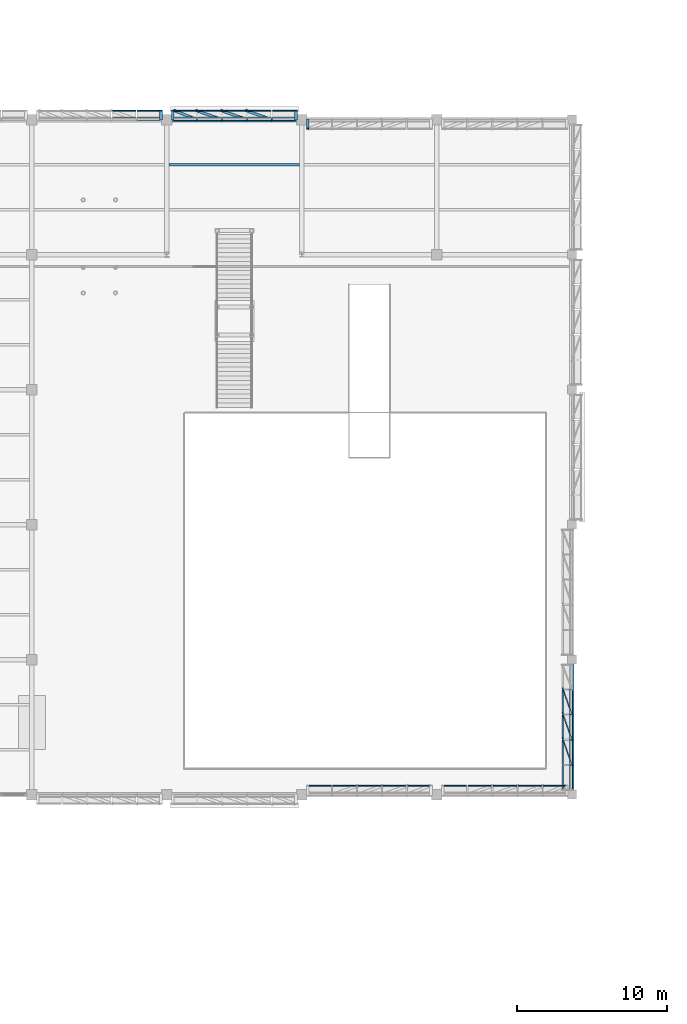
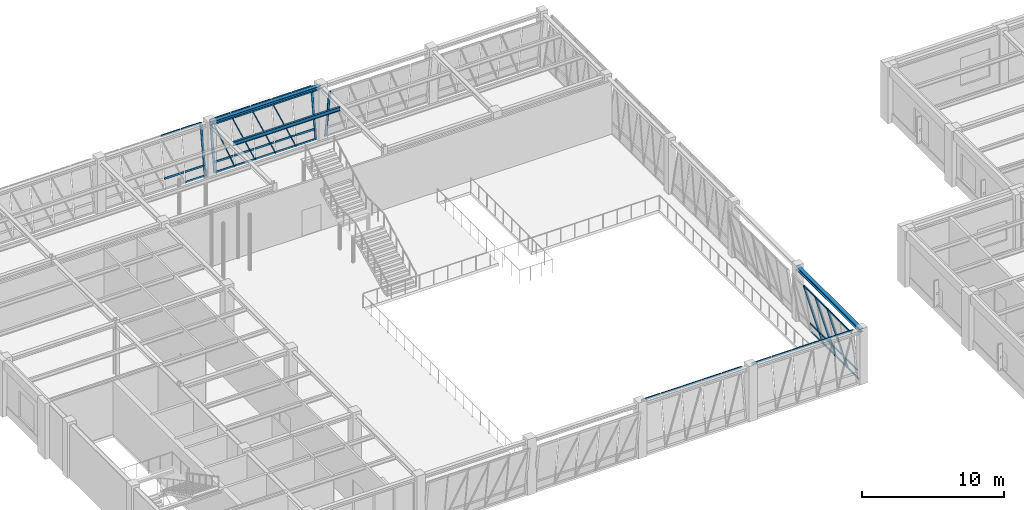
# One storey, part 40 of 98: 53 members, 3 beams, 6 elements without a shape of their own.
"""IFC4 building model written with IfcOpenShell, lengths in metres."""

from ifc_helpers import new_model, si_unit, direction, frame, origin, origin_2d, place, context, subcontext, project, spatial, hollow_rectangle, i_section, extrude, material, material_profile, profile_set, type_object, element, aggregate, save


model = new_model("IFC4")

# Units and contexts
model_context = context("Model", 3, precision=1e-05, world=origin(), true_north=direction((0.0, 1.0)))
body_context = subcontext(model_context, "Body", "Model", "MODEL_VIEW")
ifc_project = project(units=[si_unit("LENGTHUNIT", "METRE"), si_unit("AREAUNIT", "SQUARE_METRE"), si_unit("VOLUMEUNIT", "CUBIC_METRE"), si_unit("PLANEANGLEUNIT", "RADIAN"), si_unit("MASSUNIT", "GRAM", prefix="KILO")], contexts=[model_context])

# Site, building, storey
site_placement = place(None, origin())
site = spatial("IfcSite", under=ifc_project, at=site_placement, CompositionType="ELEMENT")
building_placement = place(site_placement, origin())
building = spatial("IfcBuilding", under=site, at=building_placement, Name="Lykobir Media Centre", CompositionType="ELEMENT")
storey_placement = place(building_placement, frame((0.0, 0.0, 10.199951171875)))
storey = spatial("IfcBuildingStorey", under=building, at=storey_placement, Name="L02", CompositionType="ELEMENT", Elevation=10.199951171875)

# Curtain wall, members
ifc_material_1 = material(Name="Anodized Aluminium AW-6060", Category="aluminium")
curtain_wall_type = type_object("IfcCurtainWallType", Name="CW-V6-CR2", PredefinedType="NOTDEFINED", material=ifc_material_1)
curtain_wall_1_placement = place(storey_placement, origin())
curtain_wall_1 = element("IfcCurtainWall", 1, at=curtain_wall_1_placement, inside=storey, type_object=curtain_wall_type, Name="Curtain wall CW2-L02-0087", PredefinedType="NOTDEFINED")
ifc_material_profile_1 = material_profile(ifc_material_1, hollow_rectangle(XDim=0.074951171875, YDim=0.179931640625, WallThickness=0.00390625, at=origin_2d()), Name="ALU MULLION 75x180")
ifc_profile_set_1 = profile_set([ifc_material_profile_1], Name="Anodized Aluminium AW-6060")
member_type_1 = type_object("IfcMemberType", Name="CWM-180", PredefinedType="MULLION", material=ifc_profile_set_1)
member_1_placement = place(storey_placement, frame((81.0, 68.339111328125, 0.0), z_axis=(-0.132259432652, 0.374558713271, 0.917721751288), x_axis=(-0.942941147741, -0.332959444824, 0.0)))
member_1 = element("IfcMember", 2, at=member_1_placement, type_object=member_type_1, Name="CW2-L02-0087 mullion 3", PredefinedType="MULLION", context=body_context, shape_type="SweptSolid", body=[
    extrude(hollow_rectangle(XDim=0.074951171875, YDim=0.179931640625, WallThickness=0.00390625, at=origin_2d()), origin(), (0.0, 0.0, 1.0), 4.61474609375),
])
member_2_placement = place(storey_placement, frame((81.0, 66.660888671875, 0.0), z_axis=(-0.132256811749, 0.374604193598, 0.917703565365), x_axis=(-0.942955909979, -0.332917635214, 0.0)))
member_2 = element("IfcMember", 3, at=member_2_placement, type_object=member_type_1, Name="CW2-L02-0087 mullion 4", PredefinedType="MULLION", context=body_context, shape_type="SweptSolid", body=[
    extrude(hollow_rectangle(XDim=0.074951171875, YDim=0.179931640625, WallThickness=0.00390625, at=origin_2d()), origin(), (0.0, 0.0, 1.0), 4.614990234375),
])
member_3_placement = place(storey_placement, frame((81.0, 64.98291015625, 0.0), z_axis=(-0.132256811749, 0.374604193598, 0.917703565365), x_axis=(-0.942955909979, -0.332917635214, 0.0)))
member_3 = element("IfcMember", 4, at=member_3_placement, type_object=member_type_1, Name="CW2-L02-0087 mullion 5", PredefinedType="MULLION", context=body_context, shape_type="SweptSolid", body=[
    extrude(hollow_rectangle(XDim=0.074951171875, YDim=0.179931640625, WallThickness=0.00390625, at=origin_2d()), origin(), (0.0, 0.0, 1.0), 4.614990234375),
])

# Curtain wall, member
curtain_wall_2_placement = place(storey_placement, origin())
curtain_wall_2 = element("IfcCurtainWall", 5, at=curtain_wall_2_placement, inside=storey, type_object=curtain_wall_type, Name="Curtain wall CW2-L02-0093", PredefinedType="NOTDEFINED")
member_4_placement = place(storey_placement, frame((53.607421875, 108.0, 0.0), z_axis=(0.0, 0.142643417261, 0.989774143687), x_axis=(0.0, 0.989774143687, -0.142643417261)))
member_4 = element("IfcMember", 6, at=member_4_placement, type_object=member_type_1, Name="CW2-L02-0093 mullion 1", PredefinedType="MULLION", context=body_context, shape_type="SweptSolid", body=[
    extrude(hollow_rectangle(XDim=0.074951171875, YDim=0.179931640625, WallThickness=0.00390625, at=origin_2d()), origin(), (0.0, 0.0, 1.0), 4.27880859375),
])

# Curtain wall, members
curtain_wall_3_placement = place(storey_placement, origin())
curtain_wall_3 = element("IfcCurtainWall", 7, at=curtain_wall_3_placement, inside=storey, type_object=curtain_wall_type, Name="Curtain wall CW2-L02-0094", PredefinedType="NOTDEFINED")
member_5_placement = place(storey_placement, frame((62.607421875, 108.0, 0.0), z_axis=(0.0, 0.142643417261, 0.989774143687), x_axis=(0.0, 0.989774143687, -0.142643417261)))
member_5 = element("IfcMember", 8, at=member_5_placement, type_object=member_type_1, Name="CW2-L02-0094 mullion 1", PredefinedType="MULLION", context=body_context, shape_type="SweptSolid", body=[
    extrude(hollow_rectangle(XDim=0.074951171875, YDim=0.179931640625, WallThickness=0.00390625, at=origin_2d()), origin(), (0.0, 0.0, 1.0), 4.27880859375),
])
member_6_placement = place(storey_placement, frame((60.987060546875, 108.0, 0.0), z_axis=(-0.374604193598, 0.132256811749, 0.917703565365), x_axis=(-0.86535400057, 0.305519700808, -0.397265863265)))
member_6 = element("IfcMember", 9, at=member_6_placement, type_object=member_type_1, Name="CW2-L02-0094 mullion 2", PredefinedType="MULLION", context=body_context, shape_type="SweptSolid", body=[
    extrude(hollow_rectangle(XDim=0.074951171875, YDim=0.179931640625, WallThickness=0.00390625, at=origin_2d()), origin(), (0.0, 0.0, 1.0), 4.614990234375),
])
member_7_placement = place(storey_placement, frame((59.3291015625, 108.0, 0.0), z_axis=(-0.374604193598, 0.132256811749, 0.917703565365), x_axis=(-0.86535400057, 0.305519700808, -0.397265863265)))
member_7 = element("IfcMember", 10, at=member_7_placement, type_object=member_type_1, Name="CW2-L02-0094 mullion 3", PredefinedType="MULLION", context=body_context, shape_type="SweptSolid", body=[
    extrude(hollow_rectangle(XDim=0.074951171875, YDim=0.179931640625, WallThickness=0.00390625, at=origin_2d()), origin(), (0.0, 0.0, 1.0), 4.614990234375),
])
member_8_placement = place(storey_placement, frame((57.6708984375, 108.0, 0.0), z_axis=(-0.374558713271, 0.132259432652, 0.917721751288), x_axis=(-0.865357601466, 0.305564124811, -0.397223850257)))
member_8 = element("IfcMember", 11, at=member_8_placement, type_object=member_type_1, Name="CW2-L02-0094 mullion 4", PredefinedType="MULLION", context=body_context, shape_type="SweptSolid", body=[
    extrude(hollow_rectangle(XDim=0.074951171875, YDim=0.179931640625, WallThickness=0.00390625, at=origin_2d()), origin(), (0.0, 0.0, 1.0), 4.61474609375),
])
member_9_placement = place(storey_placement, frame((56.012939453125, 108.0, 0.0), z_axis=(-0.339696067338, 0.134161164036, 0.930917485011), x_axis=(-0.865836279021, 0.34195745617, -0.365229566301)))
member_9 = element("IfcMember", 12, at=member_9_placement, type_object=member_type_1, Name="CW2-L02-0094 mullion 5", PredefinedType="MULLION", context=body_context, shape_type="SweptSolid", body=[
    extrude(hollow_rectangle(XDim=0.074951171875, YDim=0.179931640625, WallThickness=0.00390625, at=origin_2d()), origin(), (0.0, 0.0, 1.0), 4.54931640625),
])
member_10_placement = place(storey_placement, frame((54.392578125, 108.0, 0.0), z_axis=(0.0, 0.142643417261, 0.989774143687), x_axis=(0.0, 0.989774143687, -0.142643417261)))
member_10 = element("IfcMember", 13, at=member_10_placement, type_object=member_type_1, Name="CW2-L02-0094 mullion 6", PredefinedType="MULLION", context=body_context, shape_type="SweptSolid", body=[
    extrude(hollow_rectangle(XDim=0.074951171875, YDim=0.179931640625, WallThickness=0.00390625, at=origin_2d()), origin(), (0.0, 0.0, 1.0), 4.27880859375),
])

# Curtain wall, member
curtain_wall_4_placement = place(storey_placement, origin())
curtain_wall_4 = element("IfcCurtainWall", 14, at=curtain_wall_4_placement, inside=storey, type_object=curtain_wall_type, Name="Curtain wall CW2-L02-0095", PredefinedType="NOTDEFINED")
member_11_placement = place(storey_placement, frame((63.392578125, 108.0, 0.0), z_axis=(0.0, -0.142643417261, 0.989774143687), x_axis=(0.0, 0.989774143687, 0.142643417261)))
member_11 = element("IfcMember", 15, at=member_11_placement, type_object=member_type_1, Name="CW2-L02-0095 mullion 1", PredefinedType="MULLION", context=body_context, shape_type="SweptSolid", body=[
    extrude(hollow_rectangle(XDim=0.074951171875, YDim=0.179931640625, WallThickness=0.00390625, at=origin_2d()), origin(), (0.0, 0.0, 1.0), 4.27880859375),
])
aggregate(curtain_wall_4, [member_11])

# Curtain wall, members
curtain_wall_5_placement = place(storey_placement, origin())
curtain_wall_5 = element("IfcCurtainWall", 16, at=curtain_wall_5_placement, inside=storey, type_object=curtain_wall_type, Name="Curtain wall CW2-L02-0085", PredefinedType="NOTDEFINED")
ifc_material_profile_2 = material_profile(ifc_material_1, hollow_rectangle(XDim=0.074951171875, YDim=0.14990234375, WallThickness=0.00341796875, at=origin_2d()), Name="ALU TRANSOM 75x150")
ifc_profile_set_2 = profile_set([ifc_material_profile_2], Name="Anodized Aluminium AW-6060")
member_type_2 = type_object("IfcMemberType", Name="CWT-150", PredefinedType="USERDEFINED", material=ifc_profile_set_2)
member_12_placement = place(storey_placement, frame((71.570068359375, 63.60498046875, 4.19775390625), z_axis=(-1.0, 0.0, 0.0), x_axis=(0.0, -0.989776230908, 0.142628933706)))
member_12 = element("IfcMember", 17, at=member_12_placement, type_object=member_type_2, Name="CW2-L02-0085 transom 1.3", ObjectType="TRANSOM", PredefinedType="USERDEFINED", context=body_context, shape_type="SweptSolid", body=[
    extrude(hollow_rectangle(XDim=0.074951171875, YDim=0.14990234375, WallThickness=0.00341796875, at=origin_2d()), origin(), (0.0, 0.0, 1.0), 1.545654296875),
])
member_13_placement = place(storey_placement, frame((69.949462890625, 63.60498046875, 4.19775390625), z_axis=(-1.0, 0.0, 0.0), x_axis=(0.0, -0.989776230908, 0.142628933706)))
member_13 = element("IfcMember", 18, at=member_13_placement, type_object=member_type_2, Name="CW2-L02-0085 transom 2.3", ObjectType="TRANSOM", PredefinedType="USERDEFINED", context=body_context, shape_type="SweptSolid", body=[
    extrude(hollow_rectangle(XDim=0.074951171875, YDim=0.14990234375, WallThickness=0.00341796875, at=origin_2d()), origin(), (0.0, 0.0, 1.0), 1.5830078125),
])
member_14_placement = place(storey_placement, frame((68.29150390625, 63.60498046875, 4.19775390625), z_axis=(-1.0, 0.0, 0.0), x_axis=(0.0, -0.989776230908, 0.142628933706)))
member_14 = element("IfcMember", 19, at=member_14_placement, type_object=member_type_2, Name="CW2-L02-0085 transom 3.3", ObjectType="TRANSOM", PredefinedType="USERDEFINED", context=body_context, shape_type="SweptSolid", body=[
    extrude(hollow_rectangle(XDim=0.074951171875, YDim=0.14990234375, WallThickness=0.00341796875, at=origin_2d()), origin(), (0.0, 0.0, 1.0), 1.5830078125),
])
member_15_placement = place(storey_placement, frame((66.633544921875, 63.60498046875, 4.19775390625), z_axis=(-1.0, 0.0, 0.0), x_axis=(0.0, -0.989776230908, 0.142628933706)))
member_15 = element("IfcMember", 20, at=member_15_placement, type_object=member_type_2, Name="CW2-L02-0085 transom 4.3", ObjectType="TRANSOM", PredefinedType="USERDEFINED", context=body_context, shape_type="SweptSolid", body=[
    extrude(hollow_rectangle(XDim=0.074951171875, YDim=0.14990234375, WallThickness=0.00341796875, at=origin_2d()), origin(), (0.0, 0.0, 1.0), 1.5830078125),
])
member_16_placement = place(storey_placement, frame((64.9755859375, 63.60498046875, 4.19775390625), z_axis=(-1.0, 0.0, 0.0), x_axis=(0.0, -0.989776230908, 0.142628933706)))
member_16 = element("IfcMember", 21, at=member_16_placement, type_object=member_type_2, Name="CW2-L02-0085 transom 5.3", ObjectType="TRANSOM", PredefinedType="USERDEFINED", context=body_context, shape_type="SweptSolid", body=[
    extrude(hollow_rectangle(XDim=0.074951171875, YDim=0.14990234375, WallThickness=0.00341796875, at=origin_2d()), origin(), (0.0, 0.0, 1.0), 1.545654296875),
])
aggregate(curtain_wall_5, [member_12, member_13, member_14, member_15, member_16])

curtain_wall_6_placement = place(storey_placement, origin())
curtain_wall_6 = element("IfcCurtainWall", 22, at=curtain_wall_6_placement, inside=storey, type_object=curtain_wall_type, Name="Curtain wall CW2-L02-0086", PredefinedType="NOTDEFINED")
member_17_placement = place(storey_placement, frame((80.6201171875, 63.60498046875, 4.19775390625), z_axis=(-1.0, 0.0, 0.0), x_axis=(0.0, -0.989776230908, 0.142628933706)))
member_17 = element("IfcMember", 23, at=member_17_placement, type_object=member_type_2, Name="CW2-L02-0086 transom 1.3", ObjectType="TRANSOM", PredefinedType="USERDEFINED", context=body_context, shape_type="SweptSolid", body=[
    extrude(hollow_rectangle(XDim=0.074951171875, YDim=0.14990234375, WallThickness=0.00341796875, at=origin_2d()), origin(), (0.0, 0.0, 1.0), 1.5556640625),
])
member_18_placement = place(storey_placement, frame((78.989501953125, 63.60498046875, 4.19775390625), z_axis=(-1.0, 0.0, 0.0), x_axis=(0.0, -0.989776230908, 0.142628933706)))
member_18 = element("IfcMember", 24, at=member_18_placement, type_object=member_type_2, Name="CW2-L02-0086 transom 2.3", ObjectType="TRANSOM", PredefinedType="USERDEFINED", context=body_context, shape_type="SweptSolid", body=[
    extrude(hollow_rectangle(XDim=0.074951171875, YDim=0.14990234375, WallThickness=0.00341796875, at=origin_2d()), origin(), (0.0, 0.0, 1.0), 1.593017578125),
])
member_19_placement = place(storey_placement, frame((77.321533203125, 63.60498046875, 4.19775390625), z_axis=(-1.0, 0.0, 0.0), x_axis=(0.0, -0.989776230908, 0.142628933706)))
member_19 = element("IfcMember", 25, at=member_19_placement, type_object=member_type_2, Name="CW2-L02-0086 transom 3.3", ObjectType="TRANSOM", PredefinedType="USERDEFINED", context=body_context, shape_type="SweptSolid", body=[
    extrude(hollow_rectangle(XDim=0.074951171875, YDim=0.14990234375, WallThickness=0.00341796875, at=origin_2d()), origin(), (0.0, 0.0, 1.0), 1.593017578125),
])
member_20_placement = place(storey_placement, frame((75.653564453125, 63.60498046875, 4.19775390625), z_axis=(-1.0, 0.0, 0.0), x_axis=(0.0, -0.989776230908, 0.142628933706)))
member_20 = element("IfcMember", 26, at=member_20_placement, type_object=member_type_2, Name="CW2-L02-0086 transom 4.3", ObjectType="TRANSOM", PredefinedType="USERDEFINED", context=body_context, shape_type="SweptSolid", body=[
    extrude(hollow_rectangle(XDim=0.074951171875, YDim=0.14990234375, WallThickness=0.00341796875, at=origin_2d()), origin(), (0.0, 0.0, 1.0), 1.593017578125),
])
member_21_placement = place(storey_placement, frame((73.985595703125, 63.60498046875, 4.19775390625), z_axis=(-1.0, 0.0, 0.0), x_axis=(0.0, -0.989776230908, 0.142628933706)))
member_21 = element("IfcMember", 27, at=member_21_placement, type_object=member_type_2, Name="CW2-L02-0086 transom 5.3", ObjectType="TRANSOM", PredefinedType="USERDEFINED", context=body_context, shape_type="SweptSolid", body=[
    extrude(hollow_rectangle(XDim=0.074951171875, YDim=0.14990234375, WallThickness=0.00341796875, at=origin_2d()), origin(), (0.0, 0.0, 1.0), 1.5556640625),
])
aggregate(curtain_wall_6, [member_17, member_18, member_19, member_20, member_21])

# Member
member_22_placement = place(storey_placement, frame((80.99462890625, 69.9794921875, 0.037109375), z_axis=(0.0, -1.0, 0.0), x_axis=(0.989776230908, 0.0, 0.142628933706)))
member_22 = element("IfcMember", 28, at=member_22_placement, type_object=member_type_2, Name="CW2-L02-0087 transom 2.1", ObjectType="TRANSOM", PredefinedType="USERDEFINED", context=body_context, shape_type="SweptSolid", body=[
    extrude(hollow_rectangle(XDim=0.074951171875, YDim=0.14990234375, WallThickness=0.00341796875, at=origin_2d()), origin(), (0.0, 0.0, 1.0), 1.60302734375),
])

member_23_placement = place(storey_placement, frame((80.87890625, 69.9794921875, 0.84130859375), z_axis=(0.0, -1.0, 0.0), x_axis=(0.989776230908, 0.0, 0.142628933706)))
member_23 = element("IfcMember", 29, at=member_23_placement, type_object=member_type_2, Name="CW2-L02-0087 transom 2.2", ObjectType="TRANSOM", PredefinedType="USERDEFINED", context=body_context, shape_type="SweptSolid", body=[
    extrude(hollow_rectangle(XDim=0.074951171875, YDim=0.14990234375, WallThickness=0.00341796875, at=origin_2d()), origin(), (0.0, 0.0, 1.0), 1.60302734375),
])

member_24_placement = place(storey_placement, frame((80.39501953125, 69.9794921875, 4.19775390625), z_axis=(0.0, -1.0, 0.0), x_axis=(0.989776230908, 0.0, 0.142628933706)))
member_24 = element("IfcMember", 30, at=member_24_placement, type_object=member_type_2, Name="CW2-L02-0087 transom 2.3", ObjectType="TRANSOM", PredefinedType="USERDEFINED", context=body_context, shape_type="SweptSolid", body=[
    extrude(hollow_rectangle(XDim=0.074951171875, YDim=0.14990234375, WallThickness=0.00341796875, at=origin_2d()), origin(), (0.0, 0.0, 1.0), 1.60302734375),
])

member_25_placement = place(storey_placement, frame((80.99462890625, 68.301513671875, 0.037109375), z_axis=(0.0, -1.0, 0.0), x_axis=(0.989776230908, 0.0, 0.142628933706)))
member_25 = element("IfcMember", 31, at=member_25_placement, type_object=member_type_2, Name="CW2-L02-0087 transom 3.1", ObjectType="TRANSOM", PredefinedType="USERDEFINED", context=body_context, shape_type="SweptSolid", body=[
    extrude(hollow_rectangle(XDim=0.074951171875, YDim=0.14990234375, WallThickness=0.00341796875, at=origin_2d()), origin(), (0.0, 0.0, 1.0), 1.60302734375),
])

member_26_placement = place(storey_placement, frame((80.87890625, 68.301513671875, 0.84130859375), z_axis=(0.0, -1.0, 0.0), x_axis=(0.989776230908, 0.0, 0.142628933706)))
member_26 = element("IfcMember", 32, at=member_26_placement, type_object=member_type_2, Name="CW2-L02-0087 transom 3.2", ObjectType="TRANSOM", PredefinedType="USERDEFINED", context=body_context, shape_type="SweptSolid", body=[
    extrude(hollow_rectangle(XDim=0.074951171875, YDim=0.14990234375, WallThickness=0.00341796875, at=origin_2d()), origin(), (0.0, 0.0, 1.0), 1.60302734375),
])

member_27_placement = place(storey_placement, frame((80.39501953125, 68.301513671875, 4.19775390625), z_axis=(0.0, -1.0, 0.0), x_axis=(0.989776230908, 0.0, 0.142628933706)))
member_27 = element("IfcMember", 33, at=member_27_placement, type_object=member_type_2, Name="CW2-L02-0087 transom 3.3", ObjectType="TRANSOM", PredefinedType="USERDEFINED", context=body_context, shape_type="SweptSolid", body=[
    extrude(hollow_rectangle(XDim=0.074951171875, YDim=0.14990234375, WallThickness=0.00341796875, at=origin_2d()), origin(), (0.0, 0.0, 1.0), 1.60302734375),
])

member_28_placement = place(storey_placement, frame((80.99462890625, 66.62353515625, 0.037109375), z_axis=(0.0, -1.0, 0.0), x_axis=(0.989776230908, 0.0, 0.142628933706)))
member_28 = element("IfcMember", 34, at=member_28_placement, type_object=member_type_2, Name="CW2-L02-0087 transom 4.1", ObjectType="TRANSOM", PredefinedType="USERDEFINED", context=body_context, shape_type="SweptSolid", body=[
    extrude(hollow_rectangle(XDim=0.074951171875, YDim=0.14990234375, WallThickness=0.00341796875, at=origin_2d()), origin(), (0.0, 0.0, 1.0), 1.60302734375),
])

member_29_placement = place(storey_placement, frame((80.87890625, 66.62353515625, 0.84130859375), z_axis=(0.0, -1.0, 0.0), x_axis=(0.989776230908, 0.0, 0.142628933706)))
member_29 = element("IfcMember", 35, at=member_29_placement, type_object=member_type_2, Name="CW2-L02-0087 transom 4.2", ObjectType="TRANSOM", PredefinedType="USERDEFINED", context=body_context, shape_type="SweptSolid", body=[
    extrude(hollow_rectangle(XDim=0.074951171875, YDim=0.14990234375, WallThickness=0.00341796875, at=origin_2d()), origin(), (0.0, 0.0, 1.0), 1.60302734375),
])

member_30_placement = place(storey_placement, frame((80.39501953125, 66.62353515625, 4.19775390625), z_axis=(0.0, -1.0, 0.0), x_axis=(0.989776230908, 0.0, 0.142628933706)))
member_30 = element("IfcMember", 36, at=member_30_placement, type_object=member_type_2, Name="CW2-L02-0087 transom 4.3", ObjectType="TRANSOM", PredefinedType="USERDEFINED", context=body_context, shape_type="SweptSolid", body=[
    extrude(hollow_rectangle(XDim=0.074951171875, YDim=0.14990234375, WallThickness=0.00341796875, at=origin_2d()), origin(), (0.0, 0.0, 1.0), 1.60302734375),
])

member_31_placement = place(storey_placement, frame((80.99462890625, 64.945556640625, 0.037109375), z_axis=(0.0, -1.0, 0.0), x_axis=(0.989776230908, 0.0, 0.142628933706)))
member_31 = element("IfcMember", 37, at=member_31_placement, type_object=member_type_2, Name="CW2-L02-0087 transom 5.1", ObjectType="TRANSOM", PredefinedType="USERDEFINED", context=body_context, shape_type="SweptSolid", body=[
    extrude(hollow_rectangle(XDim=0.074951171875, YDim=0.14990234375, WallThickness=0.00341796875, at=origin_2d()), origin(), (0.0, 0.0, 1.0), 1.565673828125),
])

member_32_placement = place(storey_placement, frame((80.87890625, 64.945556640625, 0.84130859375), z_axis=(0.0, -1.0, 0.0), x_axis=(0.989776230908, 0.0, 0.142628933706)))
member_32 = element("IfcMember", 38, at=member_32_placement, type_object=member_type_2, Name="CW2-L02-0087 transom 5.2", ObjectType="TRANSOM", PredefinedType="USERDEFINED", context=body_context, shape_type="SweptSolid", body=[
    extrude(hollow_rectangle(XDim=0.074951171875, YDim=0.14990234375, WallThickness=0.00341796875, at=origin_2d()), origin(), (0.0, 0.0, 1.0), 1.565673828125),
])

member_33_placement = place(storey_placement, frame((80.39501953125, 64.945556640625, 4.19775390625), z_axis=(0.0, -1.0, 0.0), x_axis=(0.989776230908, 0.0, 0.142628933706)))
member_33 = element("IfcMember", 39, at=member_33_placement, type_object=member_type_2, Name="CW2-L02-0087 transom 5.3", ObjectType="TRANSOM", PredefinedType="USERDEFINED", context=body_context, shape_type="SweptSolid", body=[
    extrude(hollow_rectangle(XDim=0.074951171875, YDim=0.14990234375, WallThickness=0.00341796875, at=origin_2d()), origin(), (0.0, 0.0, 1.0), 1.565673828125),
])

aggregate(curtain_wall_1, [member_1, member_2, member_3, member_22, member_23, member_24, member_25, member_26, member_27, member_28, member_29, member_30, member_31, member_32, member_33])

member_34_placement = place(storey_placement, frame((53.570068359375, 108.00537109375, 0.037109375), z_axis=(-1.0, 0.0, 0.0), x_axis=(0.0, -0.989776230908, 0.142628933706)))
member_34 = element("IfcMember", 40, at=member_34_placement, type_object=member_type_2, Name="CW2-L02-0093 transom 1.1", ObjectType="TRANSOM", PredefinedType="USERDEFINED", context=body_context, shape_type="SweptSolid", body=[
    extrude(hollow_rectangle(XDim=0.074951171875, YDim=0.14990234375, WallThickness=0.00341796875, at=origin_2d()), origin(), (0.0, 0.0, 1.0), 1.545654296875),
])

member_35_placement = place(storey_placement, frame((53.570068359375, 108.12109375, 0.84130859375), z_axis=(-1.0, 0.0, 0.0), x_axis=(0.0, -0.989776230908, 0.142628933706)))
member_35 = element("IfcMember", 41, at=member_35_placement, type_object=member_type_2, Name="CW2-L02-0093 transom 1.2", ObjectType="TRANSOM", PredefinedType="USERDEFINED", context=body_context, shape_type="SweptSolid", body=[
    extrude(hollow_rectangle(XDim=0.074951171875, YDim=0.14990234375, WallThickness=0.00341796875, at=origin_2d()), origin(), (0.0, 0.0, 1.0), 1.545654296875),
])

member_36_placement = place(storey_placement, frame((53.570068359375, 108.60498046875, 4.19775390625), z_axis=(-1.0, 0.0, 0.0), x_axis=(0.0, -0.989776230908, 0.142628933706)))
member_36 = element("IfcMember", 42, at=member_36_placement, type_object=member_type_2, Name="CW2-L02-0093 transom 1.3", ObjectType="TRANSOM", PredefinedType="USERDEFINED", context=body_context, shape_type="SweptSolid", body=[
    extrude(hollow_rectangle(XDim=0.074951171875, YDim=0.14990234375, WallThickness=0.00341796875, at=origin_2d()), origin(), (0.0, 0.0, 1.0), 1.545654296875),
])

member_37_placement = place(storey_placement, frame((51.949462890625, 108.12109375, 0.84130859375), z_axis=(-1.0, 0.0, 0.0), x_axis=(0.0, -0.989776230908, 0.142628933706)))
member_37 = element("IfcMember", 43, at=member_37_placement, type_object=member_type_2, Name="CW2-L02-0093 transom 2.2", ObjectType="TRANSOM", PredefinedType="USERDEFINED", context=body_context, shape_type="SweptSolid", body=[
    extrude(hollow_rectangle(XDim=0.074951171875, YDim=0.14990234375, WallThickness=0.00341796875, at=origin_2d()), origin(), (0.0, 0.0, 1.0), 1.5830078125),
])

member_38_placement = place(storey_placement, frame((51.949462890625, 108.60498046875, 4.19775390625), z_axis=(-1.0, 0.0, 0.0), x_axis=(0.0, -0.989776230908, 0.142628933706)))
member_38 = element("IfcMember", 44, at=member_38_placement, type_object=member_type_2, Name="CW2-L02-0093 transom 2.3", ObjectType="TRANSOM", PredefinedType="USERDEFINED", context=body_context, shape_type="SweptSolid", body=[
    extrude(hollow_rectangle(XDim=0.074951171875, YDim=0.14990234375, WallThickness=0.00341796875, at=origin_2d()), origin(), (0.0, 0.0, 1.0), 1.5830078125),
])

aggregate(curtain_wall_2, [member_4, member_34, member_35, member_36, member_37, member_38])

member_39_placement = place(storey_placement, frame((62.570068359375, 108.00537109375, 0.037109375), z_axis=(-1.0, 0.0, 0.0), x_axis=(0.0, -0.989776230908, 0.142628933706)))
member_39 = element("IfcMember", 45, at=member_39_placement, type_object=member_type_2, Name="CW2-L02-0094 transom 1.1", ObjectType="TRANSOM", PredefinedType="USERDEFINED", context=body_context, shape_type="SweptSolid", body=[
    extrude(hollow_rectangle(XDim=0.074951171875, YDim=0.14990234375, WallThickness=0.00341796875, at=origin_2d()), origin(), (0.0, 0.0, 1.0), 1.545654296875),
])

member_40_placement = place(storey_placement, frame((62.570068359375, 108.12109375, 0.84130859375), z_axis=(-1.0, 0.0, 0.0), x_axis=(0.0, -0.989776230908, 0.142628933706)))
member_40 = element("IfcMember", 46, at=member_40_placement, type_object=member_type_2, Name="CW2-L02-0094 transom 1.2", ObjectType="TRANSOM", PredefinedType="USERDEFINED", context=body_context, shape_type="SweptSolid", body=[
    extrude(hollow_rectangle(XDim=0.074951171875, YDim=0.14990234375, WallThickness=0.00341796875, at=origin_2d()), origin(), (0.0, 0.0, 1.0), 1.545654296875),
])

member_41_placement = place(storey_placement, frame((62.570068359375, 108.60498046875, 4.19775390625), z_axis=(-1.0, 0.0, 0.0), x_axis=(0.0, -0.989776230908, 0.142628933706)))
member_41 = element("IfcMember", 47, at=member_41_placement, type_object=member_type_2, Name="CW2-L02-0094 transom 1.3", ObjectType="TRANSOM", PredefinedType="USERDEFINED", context=body_context, shape_type="SweptSolid", body=[
    extrude(hollow_rectangle(XDim=0.074951171875, YDim=0.14990234375, WallThickness=0.00341796875, at=origin_2d()), origin(), (0.0, 0.0, 1.0), 1.545654296875),
])

member_42_placement = place(storey_placement, frame((60.949462890625, 108.00537109375, 0.037109375), z_axis=(-1.0, 0.0, 0.0), x_axis=(0.0, -0.989776230908, 0.142628933706)))
member_42 = element("IfcMember", 48, at=member_42_placement, type_object=member_type_2, Name="CW2-L02-0094 transom 2.1", ObjectType="TRANSOM", PredefinedType="USERDEFINED", context=body_context, shape_type="SweptSolid", body=[
    extrude(hollow_rectangle(XDim=0.074951171875, YDim=0.14990234375, WallThickness=0.00341796875, at=origin_2d()), origin(), (0.0, 0.0, 1.0), 1.5830078125),
])

member_43_placement = place(storey_placement, frame((60.949462890625, 108.12109375, 0.84130859375), z_axis=(-1.0, 0.0, 0.0), x_axis=(0.0, -0.989776230908, 0.142628933706)))
member_43 = element("IfcMember", 49, at=member_43_placement, type_object=member_type_2, Name="CW2-L02-0094 transom 2.2", ObjectType="TRANSOM", PredefinedType="USERDEFINED", context=body_context, shape_type="SweptSolid", body=[
    extrude(hollow_rectangle(XDim=0.074951171875, YDim=0.14990234375, WallThickness=0.00341796875, at=origin_2d()), origin(), (0.0, 0.0, 1.0), 1.5830078125),
])

member_44_placement = place(storey_placement, frame((60.949462890625, 108.60498046875, 4.19775390625), z_axis=(-1.0, 0.0, 0.0), x_axis=(0.0, -0.989776230908, 0.142628933706)))
member_44 = element("IfcMember", 50, at=member_44_placement, type_object=member_type_2, Name="CW2-L02-0094 transom 2.3", ObjectType="TRANSOM", PredefinedType="USERDEFINED", context=body_context, shape_type="SweptSolid", body=[
    extrude(hollow_rectangle(XDim=0.074951171875, YDim=0.14990234375, WallThickness=0.00341796875, at=origin_2d()), origin(), (0.0, 0.0, 1.0), 1.5830078125),
])

member_45_placement = place(storey_placement, frame((59.29150390625, 108.00537109375, 0.037109375), z_axis=(-1.0, 0.0, 0.0), x_axis=(0.0, -0.989776230908, 0.142628933706)))
member_45 = element("IfcMember", 51, at=member_45_placement, type_object=member_type_2, Name="CW2-L02-0094 transom 3.1", ObjectType="TRANSOM", PredefinedType="USERDEFINED", context=body_context, shape_type="SweptSolid", body=[
    extrude(hollow_rectangle(XDim=0.074951171875, YDim=0.14990234375, WallThickness=0.00341796875, at=origin_2d()), origin(), (0.0, 0.0, 1.0), 1.5830078125),
])

member_46_placement = place(storey_placement, frame((59.29150390625, 108.12109375, 0.84130859375), z_axis=(-1.0, 0.0, 0.0), x_axis=(0.0, -0.989776230908, 0.142628933706)))
member_46 = element("IfcMember", 52, at=member_46_placement, type_object=member_type_2, Name="CW2-L02-0094 transom 3.2", ObjectType="TRANSOM", PredefinedType="USERDEFINED", context=body_context, shape_type="SweptSolid", body=[
    extrude(hollow_rectangle(XDim=0.074951171875, YDim=0.14990234375, WallThickness=0.00341796875, at=origin_2d()), origin(), (0.0, 0.0, 1.0), 1.5830078125),
])

member_47_placement = place(storey_placement, frame((59.29150390625, 108.60498046875, 4.19775390625), z_axis=(-1.0, 0.0, 0.0), x_axis=(0.0, -0.989776230908, 0.142628933706)))
member_47 = element("IfcMember", 53, at=member_47_placement, type_object=member_type_2, Name="CW2-L02-0094 transom 3.3", ObjectType="TRANSOM", PredefinedType="USERDEFINED", context=body_context, shape_type="SweptSolid", body=[
    extrude(hollow_rectangle(XDim=0.074951171875, YDim=0.14990234375, WallThickness=0.00341796875, at=origin_2d()), origin(), (0.0, 0.0, 1.0), 1.5830078125),
])

member_48_placement = place(storey_placement, frame((57.633544921875, 108.00537109375, 0.037109375), z_axis=(-1.0, 0.0, 0.0), x_axis=(0.0, -0.989776230908, 0.142628933706)))
member_48 = element("IfcMember", 54, at=member_48_placement, type_object=member_type_2, Name="CW2-L02-0094 transom 4.1", ObjectType="TRANSOM", PredefinedType="USERDEFINED", context=body_context, shape_type="SweptSolid", body=[
    extrude(hollow_rectangle(XDim=0.074951171875, YDim=0.14990234375, WallThickness=0.00341796875, at=origin_2d()), origin(), (0.0, 0.0, 1.0), 1.5830078125),
])

member_49_placement = place(storey_placement, frame((57.633544921875, 108.12109375, 0.84130859375), z_axis=(-1.0, 0.0, 0.0), x_axis=(0.0, -0.989776230908, 0.142628933706)))
member_49 = element("IfcMember", 55, at=member_49_placement, type_object=member_type_2, Name="CW2-L02-0094 transom 4.2", ObjectType="TRANSOM", PredefinedType="USERDEFINED", context=body_context, shape_type="SweptSolid", body=[
    extrude(hollow_rectangle(XDim=0.074951171875, YDim=0.14990234375, WallThickness=0.00341796875, at=origin_2d()), origin(), (0.0, 0.0, 1.0), 1.5830078125),
])

member_50_placement = place(storey_placement, frame((57.633544921875, 108.60498046875, 4.19775390625), z_axis=(-1.0, 0.0, 0.0), x_axis=(0.0, -0.989776230908, 0.142628933706)))
member_50 = element("IfcMember", 56, at=member_50_placement, type_object=member_type_2, Name="CW2-L02-0094 transom 4.3", ObjectType="TRANSOM", PredefinedType="USERDEFINED", context=body_context, shape_type="SweptSolid", body=[
    extrude(hollow_rectangle(XDim=0.074951171875, YDim=0.14990234375, WallThickness=0.00341796875, at=origin_2d()), origin(), (0.0, 0.0, 1.0), 1.5830078125),
])

member_51_placement = place(storey_placement, frame((55.9755859375, 108.00537109375, 0.037109375), z_axis=(-1.0, 0.0, 0.0), x_axis=(0.0, -0.989776230908, 0.142628933706)))
member_51 = element("IfcMember", 57, at=member_51_placement, type_object=member_type_2, Name="CW2-L02-0094 transom 5.1", ObjectType="TRANSOM", PredefinedType="USERDEFINED", context=body_context, shape_type="SweptSolid", body=[
    extrude(hollow_rectangle(XDim=0.074951171875, YDim=0.14990234375, WallThickness=0.00341796875, at=origin_2d()), origin(), (0.0, 0.0, 1.0), 1.545654296875),
])

member_52_placement = place(storey_placement, frame((55.9755859375, 108.12109375, 0.84130859375), z_axis=(-1.0, 0.0, 0.0), x_axis=(0.0, -0.989776230908, 0.142628933706)))
member_52 = element("IfcMember", 58, at=member_52_placement, type_object=member_type_2, Name="CW2-L02-0094 transom 5.2", ObjectType="TRANSOM", PredefinedType="USERDEFINED", context=body_context, shape_type="SweptSolid", body=[
    extrude(hollow_rectangle(XDim=0.074951171875, YDim=0.14990234375, WallThickness=0.00341796875, at=origin_2d()), origin(), (0.0, 0.0, 1.0), 1.545654296875),
])

member_53_placement = place(storey_placement, frame((55.9755859375, 108.60498046875, 4.19775390625), z_axis=(-1.0, 0.0, 0.0), x_axis=(0.0, -0.989776230908, 0.142628933706)))
member_53 = element("IfcMember", 59, at=member_53_placement, type_object=member_type_2, Name="CW2-L02-0094 transom 5.3", ObjectType="TRANSOM", PredefinedType="USERDEFINED", context=body_context, shape_type="SweptSolid", body=[
    extrude(hollow_rectangle(XDim=0.074951171875, YDim=0.14990234375, WallThickness=0.00341796875, at=origin_2d()), origin(), (0.0, 0.0, 1.0), 1.545654296875),
])

aggregate(curtain_wall_3, [member_5, member_6, member_7, member_8, member_9, member_10, member_39, member_40, member_41, member_42, member_43, member_44, member_45, member_46, member_47, member_48, member_49, member_50, member_51, member_52, member_53])

# Beams
ifc_material_2 = material(Name="Steel S355", Category="steel")
ifc_material_profile_3 = material_profile(ifc_material_2, i_section(OverallWidth=0.159912109375, OverallDepth=0.330078125, WebThickness=0.007568359375, FlangeThickness=0.011474609375, at=origin_2d()), Name="IPE 330")
ifc_profile_set_3 = profile_set([ifc_material_profile_3], Name="Steel S355")
beam_type_1 = type_object("IfcBeamType", Name="JS-IPE330", PredefinedType="JOIST", material=ifc_profile_set_3)
beam_1_placement = place(storey_placement, frame((54.14990234375, 105.0, 4.39501953125), z_axis=(1.0, 0.0, 0.0), x_axis=(0.0, 1.0, 0.0)))
element("IfcBeam", 60, at=beam_1_placement, inside=storey, type_object=beam_type_1, Name="Beam BM-L02-0542-1050-0628-1050-1460", PredefinedType="JOIST", context=body_context, shape_type="SweptSolid", body=[
    extrude(i_section(OverallWidth=0.159912109375, OverallDepth=0.330078125, WebThickness=0.007568359375, FlangeThickness=0.011474609375, at=origin_2d()), origin(), (0.0, 0.0, 1.0), 8.7001953125),
])
ifc_material_profile_4 = material_profile(ifc_material_2, i_section(OverallWidth=0.300048828125, OverallDepth=0.31005859375, WebThickness=0.009033203125, FlangeThickness=0.015380859375, at=origin_2d()), Name="HEA 320")
ifc_profile_set_4 = profile_set([ifc_material_profile_4], Name="Steel S355")
beam_type_2 = type_object("IfcBeamType", Name="SP-HEA320", PredefinedType="SPANDREL", material=ifc_profile_set_4)
beam_2_placement = place(storey_placement, frame((54.0, 108.0, 4.405029296875), z_axis=(1.0, 0.0, 0.0), x_axis=(0.0, 1.0, 0.0)))
element("IfcBeam", 61, at=beam_2_placement, inside=storey, type_object=beam_type_2, Name="Beam BM-L02-0540-1080-0630-1080-1460", PredefinedType="SPANDREL", context=body_context, shape_type="SweptSolid", body=[
    extrude(i_section(OverallWidth=0.300048828125, OverallDepth=0.31005859375, WebThickness=0.009033203125, FlangeThickness=0.015380859375, at=origin_2d()), origin(), (0.0, 0.0, 1.0), 9.0),
])
ifc_material_profile_5 = material_profile(ifc_material_2, i_section(OverallWidth=0.300048828125, OverallDepth=0.31005859375, WebThickness=0.009033203125, FlangeThickness=0.015380859375, at=origin_2d()), Name="HEA 320")
ifc_profile_set_5 = profile_set([ifc_material_profile_5], Name="Steel S355")
beam_type_3 = type_object("IfcBeamType", Name="SP-HEA320-E", PredefinedType="SPANDREL", material=ifc_profile_set_5)
beam_3_placement = place(storey_placement, frame((81.0, 63.0, 4.405029296875), z_axis=(0.0, 1.0, 0.0), x_axis=(-1.0, 0.0, 0.0)))
element("IfcBeam", 62, at=beam_3_placement, inside=storey, type_object=beam_type_3, Name="Beam BM-L02-0810-0630-0810-0720-1460", PredefinedType="SPANDREL", context=body_context, shape_type="SweptSolid", body=[
    extrude(i_section(OverallWidth=0.300048828125, OverallDepth=0.31005859375, WebThickness=0.009033203125, FlangeThickness=0.015380859375, at=origin_2d()), origin(), (0.0, 0.0, 1.0), 9.0),
])

save(model, "model.ifc")
